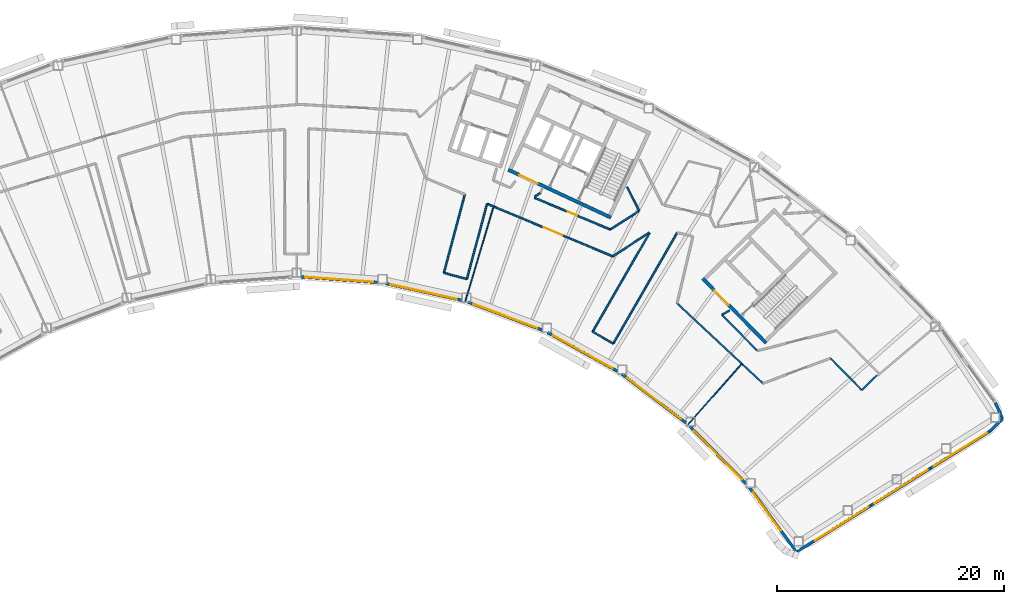
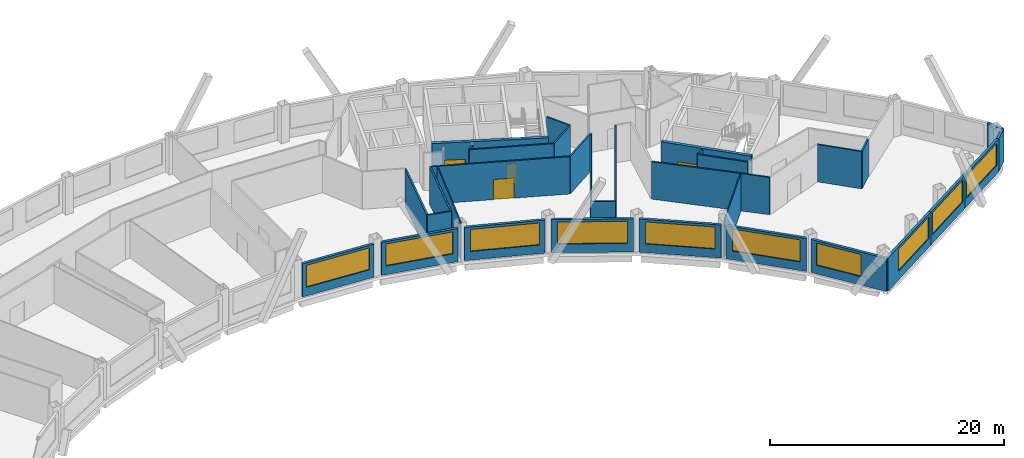
# One storey, part 7 of 13: 33 walls, 10 windows, 4 doors, 14 openings.
"""IFC4 building model written with IfcOpenShell, lengths in metres."""

from ifc_helpers import new_model, si_unit, direction, frame, frame_2d, origin, place, context, subcontext, project, spatial, rectangle, extrude, material, layer, layer_set, type_object, element, fill, save


model = new_model("IFC4")

# Units and contexts
model_context = context("Model", 3, precision=1e-05, world=origin(), true_north=direction((0.0, 1.0)))
body_context = subcontext(model_context, "Body", "Model", "MODEL_VIEW")
ifc_project = project(units=[si_unit("LENGTHUNIT", "METRE"), si_unit("AREAUNIT", "SQUARE_METRE"), si_unit("VOLUMEUNIT", "CUBIC_METRE"), si_unit("PLANEANGLEUNIT", "RADIAN"), si_unit("MASSUNIT", "GRAM", prefix="KILO")], contexts=[model_context])

# Site, building, storey
site_placement = place(None, origin())
site = spatial("IfcSite", under=ifc_project, at=site_placement, CompositionType="ELEMENT")
building_placement = place(site_placement, origin())
building = spatial("IfcBuilding", under=site, at=building_placement, Name="Tuul Gate Civic Tower", CompositionType="ELEMENT")
storey_placement = place(building_placement, frame((0.0, 0.0, 294.199951171875)))
storey = spatial("IfcBuildingStorey", under=building, at=storey_placement, Name="Level 66", CompositionType="ELEMENT", Elevation=294.199951171875)

# Wall, opening, door
ifc_material_1 = material(Name="Concrete C50/60", Category="concrete")
ifc_layer_1 = layer(ifc_material_1, 0.300048828125)
ifc_layer_set_1 = layer_set([ifc_layer_1], Name="Concrete C50/60")
wall_type_1 = type_object("IfcWallType", Name="Core wall C50/60", PredefinedType="SHEAR", material=ifc_layer_set_1)
wall_1_placement = place(storey_placement, frame((48.22509765625, -18.327880859375, 0.0), z_axis=(0.0, 0.0, 1.0), x_axis=(-0.700021979774, 0.714121297703, 0.0)))
wall_1 = element("IfcWall", 1, at=wall_1_placement, inside=storey, type_object=wall_type_1, Name="Core wall", PredefinedType="SHEAR", context=body_context, shape_type="SweptSolid", body=[
    extrude(rectangle(XDim=8.0, YDim=0.300048828125, at=frame_2d((4.0, 0.0))), origin(), (0.0, 0.0, 1.0), 3.900146484375),
])
opening_1_placement = place(wall_1_placement, frame((4.72509765625, 0.0, 0.0)))
opening_1 = element("IfcOpeningElement", 2, at=opening_1_placement, cuts=wall_1, Name="Opening LB-E1-LOBBY-1", PredefinedType="OPENING", context=body_context, shape_type="SweptSolid", body=[
    extrude(rectangle(XDim=1.800048828125, YDim=2.10009765625, at=frame_2d((0.89990234375, 1.050048828125))), frame((0.0, 0.16015625, 0.0), z_axis=(0.0, -1.0, 0.0), x_axis=(1.0, 0.0, 0.0)), (0.0, 0.0, 1.0), 0.320068359375),
])
ifc_material_2 = material(Name="Steel", Category="steel")
door_type_1 = type_object("IfcDoorType", Name="Lobby door", OperationType="DOUBLE_DOOR_SINGLE_SWING", PredefinedType="DOOR", material=ifc_material_2)
door_1_placement = place(opening_1_placement, frame((1.800048828125, 0.0, 0.0), z_axis=(0.0, 0.0, 1.0), x_axis=(-1.0, 0.0, 0.0)))
door_1 = element("IfcDoor", 3, at=door_1_placement, inside=storey, type_object=door_type_1, Name="Lobby door E1-LOBBY", OperationType="DOUBLE_DOOR_SINGLE_SWING", OverallHeight=2.10009765625, OverallWidth=1.800048828125, PredefinedType="DOOR", context=body_context, shape_type="SweptSolid", body=[
    extrude(rectangle(XDim=1.800048828125, YDim=2.10009765625, at=frame_2d((0.900146484375, 1.050048828125))), frame((0.0, 0.02490234375, 0.0), z_axis=(0.0, -1.0, 0.0), x_axis=(1.0, 0.0, 0.0)), (0.0, 0.0, 1.0), 0.050048828125),
])
fill(opening_1, door_1)

wall_2_placement = place(storey_placement, frame((34.5283203125, -7.25, 0.0), z_axis=(0.0, 0.0, 1.0), x_axis=(-0.906310338845, 0.422612789327, 0.0)))
wall_2 = element("IfcWall", 4, at=wall_2_placement, inside=storey, type_object=wall_type_1, Name="Core wall", PredefinedType="SHEAR", context=body_context, shape_type="SweptSolid", body=[
    extrude(rectangle(XDim=9.999755859375, YDim=0.300048828125, at=frame_2d((5.0, 0.0))), origin(), (0.0, 0.0, 1.0), 3.900146484375),
])
opening_2_placement = place(wall_2_placement, frame((7.125, 0.0, 0.0)))
opening_2 = element("IfcOpeningElement", 5, at=opening_2_placement, cuts=wall_2, Name="Opening LB-E3-LOBBY-1", PredefinedType="OPENING", context=body_context, shape_type="SweptSolid", body=[
    extrude(rectangle(XDim=1.800048828125, YDim=2.10009765625, at=frame_2d((0.89990234375, 1.050048828125))), frame((0.0, 0.16015625, 0.0), z_axis=(0.0, -1.0, 0.0), x_axis=(1.0, 0.0, 0.0)), (0.0, 0.0, 1.0), 0.320068359375),
])
door_2_placement = place(opening_2_placement, frame((1.800048828125, 0.0, 0.0), z_axis=(0.0, 0.0, 1.0), x_axis=(-1.0, 0.0, 0.0)))
door_2 = element("IfcDoor", 6, at=door_2_placement, inside=storey, type_object=door_type_1, Name="Lobby door E3-LOBBY", OperationType="DOUBLE_DOOR_SINGLE_SWING", OverallHeight=2.10009765625, OverallWidth=1.800048828125, PredefinedType="DOOR", context=body_context, shape_type="SweptSolid", body=[
    extrude(rectangle(XDim=1.800048828125, YDim=2.10009765625, at=frame_2d((0.900146484375, 1.050048828125))), frame((0.0, 0.02490234375, 0.0), z_axis=(0.0, -1.0, 0.0), x_axis=(1.0, 0.0, 0.0)), (0.0, 0.0, 1.0), 0.050048828125),
])
fill(opening_2, door_2)

# Walls
ifc_material_3 = material(Name="Gypsum board partition")
ifc_layer_2 = layer(ifc_material_3, 0.14990234375)
ifc_layer_set_2 = layer_set([ifc_layer_2], Name="Gypsum board partition")
wall_type_2 = type_object("IfcWallType", Name="Corridor wall P150", PredefinedType="PARTITIONING", material=ifc_layer_set_2)
wall_3_placement = place(storey_placement, frame((56.674072265625, -22.4814453125, 0.0), z_axis=(0.0, 0.0, 1.0), x_axis=(0.714103189213, 0.700040452514, 0.0)))
element("IfcWall", 7, at=wall_3_placement, inside=storey, type_object=wall_type_2, Name="p003", PredefinedType="PARTITIONING", context=body_context, shape_type="SweptSolid", body=[
    extrude(rectangle(XDim=1.892333984375, YDim=0.14990234375, at=frame_2d((0.9462890625, 0.0))), origin(), (0.0, 0.0, 1.0), 3.900146484375),
])
wall_4_placement = place(storey_placement, frame((44.332275390625, -15.8447265625, 0.0), z_axis=(0.0, 0.0, 1.0), x_axis=(0.702796621783, -0.711390826768, 0.0)))
element("IfcWall", 8, at=wall_4_placement, inside=storey, type_object=wall_type_2, Name="p006", PredefinedType="PARTITIONING", context=body_context, shape_type="SweptSolid", body=[
    extrude(rectangle(XDim=4.431640625, YDim=0.14990234375, at=frame_2d((2.2158203125, 0.0))), origin(), (0.0, 0.0, 1.0), 3.900146484375),
])
wall_5_placement = place(storey_placement, frame((44.33740234375, -15.8125, 0.0), z_axis=(0.0, 0.0, 1.0), x_axis=(0.885556049911, 0.464532541881, 0.0)))
element("IfcWall", 9, at=wall_5_placement, inside=storey, type_object=wall_type_2, Name="p007", PredefinedType="PARTITIONING", context=body_context, shape_type="SweptSolid", body=[
    extrude(rectangle(XDim=0.746337890625, YDim=0.14990234375, at=frame_2d((0.373046875, 0.0))), origin(), (0.0, 0.0, 1.0), 3.900146484375),
])

# Wall, opening, door
wall_6_placement = place(storey_placement, frame((27.77685546875, -5.503173828125, 0.0), z_axis=(0.0, 0.0, 1.0), x_axis=(0.922467775917, -0.386074089256, 0.0)))
wall_6 = element("IfcWall", 10, at=wall_6_placement, inside=storey, type_object=wall_type_2, Name="p025", PredefinedType="PARTITIONING", context=body_context, shape_type="SweptSolid", body=[
    extrude(rectangle(XDim=7.246826171875, YDim=0.14990234375, at=frame_2d((3.62353515625, 0.0))), origin(), (0.0, 0.0, 1.0), 3.900146484375),
])
opening_3_placement = place(wall_6_placement, frame((3.173583984375, 0.0, 0.0)))
opening_3 = element("IfcOpeningElement", 11, at=opening_3_placement, cuts=wall_6, Name="Opening Y-D14", PredefinedType="OPENING", context=body_context, shape_type="SweptSolid", body=[
    extrude(rectangle(XDim=0.89990234375, YDim=2.10009765625, at=frame_2d((0.449951171875, 1.050048828125))), frame((0.0, 0.0849609375, 0.0), z_axis=(0.0, -1.0, 0.0), x_axis=(1.0, 0.0, 0.0)), (0.0, 0.0, 1.0), 0.169921875),
])
ifc_material_4 = material(Name="Timber door leaf", Category="wood")
door_type_2 = type_object("IfcDoorType", Name="Door D09", OperationType="NOTDEFINED", PredefinedType="DOOR", material=ifc_material_4)
door_3_placement = place(opening_3_placement, origin())
door_3 = element("IfcDoor", 12, at=door_3_placement, inside=storey, type_object=door_type_2, Name="Door Y-D14", OperationType="SINGLE_SWING_RIGHT", OverallHeight=2.10009765625, OverallWidth=0.89990234375, PredefinedType="DOOR", context=body_context, shape_type="SweptSolid", body=[
    extrude(rectangle(XDim=0.89990234375, YDim=2.10009765625, at=frame_2d((0.449951171875, 1.050048828125))), frame((0.0, 0.02490234375, 0.0), z_axis=(0.0, -1.0, 0.0), x_axis=(1.0, 0.0, 0.0)), (0.0, 0.0, 1.0), 0.050048828125),
])
fill(opening_3, door_3)

# Walls
wall_7_placement = place(storey_placement, frame((21.8134765625, -12.67431640625, 0.0), z_axis=(0.0, 0.0, 1.0), x_axis=(0.258103384911, 0.966117302763, 0.0)))
element("IfcWall", 13, at=wall_7_placement, inside=storey, type_object=wall_type_2, Name="p026", PredefinedType="PARTITIONING", context=body_context, shape_type="SweptSolid", body=[
    extrude(rectangle(XDim=6.860595703125, YDim=0.14990234375, at=frame_2d((3.43017578125, 0.0))), origin(), (0.0, 0.0, 1.0), 3.900146484375),
])
wall_8_placement = place(storey_placement, frame((40.364501953125, -14.81640625, 0.0), z_axis=(0.0, 0.0, 1.0), x_axis=(0.731104600336, -0.682265390715, 0.0)))
element("IfcWall", 14, at=wall_8_placement, inside=storey, type_object=wall_type_2, Name="p049", PredefinedType="PARTITIONING", context=body_context, shape_type="SweptSolid", body=[
    extrude(rectangle(XDim=10.36767578125, YDim=0.14990234375, at=frame_2d((5.183837890625, 0.0))), origin(), (0.0, 0.0, 1.0), 3.900146484375),
])
wall_9_placement = place(storey_placement, frame((53.922119140625, -19.673828125, 0.0), z_axis=(0.0, 0.0, 1.0), x_axis=(0.69999193409, -0.714150748938, 0.0)))
element("IfcWall", 15, at=wall_9_placement, inside=storey, type_object=wall_type_2, Name="p051", PredefinedType="PARTITIONING", context=body_context, shape_type="SweptSolid", body=[
    extrude(rectangle(XDim=3.931396484375, YDim=0.14990234375, at=frame_2d((1.9658203125, 0.0))), origin(), (0.0, 0.0, 1.0), 3.900146484375),
])

# Wall, opening, door
wall_10_placement = place(storey_placement, frame((23.6083984375, -6.03515625, 0.0), z_axis=(0.0, 0.0, 1.0), x_axis=(0.922457832643, -0.3860978464, 0.0)))
wall_10 = element("IfcWall", 16, at=wall_10_placement, inside=storey, type_object=wall_type_2, Name="p054", PredefinedType="PARTITIONING", context=body_context, shape_type="SweptSolid", body=[
    extrude(rectangle(XDim=12.00537109375, YDim=0.14990234375, at=frame_2d((6.002685546875, 0.0))), origin(), (0.0, 0.0, 1.0), 3.900146484375),
])
opening_4_placement = place(wall_10_placement, frame((5.40478515625, 0.0, 0.0)))
opening_4 = element("IfcOpeningElement", 17, at=opening_4_placement, cuts=wall_10, Name="Opening Y-D08", PredefinedType="OPENING", context=body_context, shape_type="SweptSolid", body=[
    extrude(rectangle(XDim=1.800048828125, YDim=2.10009765625, at=frame_2d((0.89990234375, 1.050048828125))), frame((0.0, 0.0849609375, 0.0), z_axis=(0.0, -1.0, 0.0), x_axis=(1.0, 0.0, 0.0)), (0.0, 0.0, 1.0), 0.169921875),
])
ifc_material_5 = material(Name="Timber door leaf, double", Category="wood")
door_type_3 = type_object("IfcDoorType", Name="Door D18", OperationType="DOUBLE_DOOR_SINGLE_SWING", PredefinedType="DOOR", material=ifc_material_5)
door_4_placement = place(opening_4_placement, frame((1.800048828125, 0.0, 0.0), z_axis=(0.0, 0.0, 1.0), x_axis=(-1.0, 0.0, 0.0)))
door_4 = element("IfcDoor", 18, at=door_4_placement, inside=storey, type_object=door_type_3, Name="Door Y-D08", OperationType="DOUBLE_DOOR_SINGLE_SWING", OverallHeight=2.10009765625, OverallWidth=1.800048828125, PredefinedType="DOOR", context=body_context, shape_type="SweptSolid", body=[
    extrude(rectangle(XDim=1.800048828125, YDim=2.10009765625, at=frame_2d((0.900146484375, 1.050048828125))), frame((0.0, 0.02490234375, 0.0), z_axis=(0.0, -1.0, 0.0), x_axis=(1.0, 0.0, 0.0)), (0.0, 0.0, 1.0), 0.050048828125),
])
fill(opening_4, door_4)

# Walls
wall_11_placement = place(storey_placement, frame((34.682861328125, -10.67041015625, 0.0), z_axis=(0.0, 0.0, 1.0), x_axis=(0.83959569175, 0.543211813563, 0.0)))
element("IfcWall", 19, at=wall_11_placement, inside=storey, type_object=wall_type_2, Name="p055", PredefinedType="PARTITIONING", context=body_context, shape_type="SweptSolid", body=[
    extrude(rectangle(XDim=3.84765625, YDim=0.14990234375, at=frame_2d((1.923828125, 0.0))), origin(), (0.0, 0.0, 1.0), 3.900146484375),
])
wall_12_placement = place(storey_placement, frame((32.91064453125, -17.321533203125, 0.0), z_axis=(0.0, 0.0, 1.0), x_axis=(0.500011588718, 0.866018712932, 0.0)))
element("IfcWall", 20, at=wall_12_placement, inside=storey, type_object=wall_type_2, Name="p056", PredefinedType="PARTITIONING", context=body_context, shape_type="SweptSolid", body=[
    extrude(rectangle(XDim=10.062255859375, YDim=0.14990234375, at=frame_2d((5.03125, 0.0))), origin(), (0.0, 0.0, 1.0), 3.900146484375),
])
wall_13_placement = place(storey_placement, frame((32.91064453125, -17.321533203125, 0.0), z_axis=(0.0, 0.0, 1.0), x_axis=(0.866009402589, -0.500027713859, 0.0)))
element("IfcWall", 21, at=wall_13_placement, inside=storey, type_object=wall_type_2, Name="p057", PredefinedType="PARTITIONING", context=body_context, shape_type="SweptSolid", body=[
    extrude(rectangle(XDim=2.10009765625, YDim=0.14990234375, at=frame_2d((1.050048828125, 0.0))), origin(), (0.0, 0.0, 1.0), 3.900146484375),
])
wall_14_placement = place(storey_placement, frame((34.729248046875, -18.37158203125, 0.0), z_axis=(0.0, 0.0, 1.0), x_axis=(0.500001973998, 0.866024264093, 0.0)))
element("IfcWall", 22, at=wall_14_placement, inside=storey, type_object=wall_type_2, Name="p058", PredefinedType="PARTITIONING", context=body_context, shape_type="SweptSolid", body=[
    extrude(rectangle(XDim=11.29052734375, YDim=0.14990234375, at=frame_2d((5.645263671875, 0.0))), origin(), (0.0, 0.0, 1.0), 3.900146484375),
])
wall_15_placement = place(storey_placement, frame((19.778564453125, -12.129150390625, 0.0), z_axis=(0.0, 0.0, 1.0), x_axis=(0.258825441171, 0.965924112445, 0.0)))
element("IfcWall", 23, at=wall_15_placement, inside=storey, type_object=wall_type_2, Name="p064", PredefinedType="PARTITIONING", context=body_context, shape_type="SweptSolid", body=[
    extrude(rectangle(XDim=7.147216796875, YDim=0.14990234375, at=frame_2d((3.57373046875, 0.0))), origin(), (0.0, 0.0, 1.0), 3.900146484375),
])
wall_16_placement = place(storey_placement, frame((19.778564453125, -12.129150390625, 0.0), z_axis=(0.0, 0.0, 1.0), x_axis=(0.965937155273, -0.258776761059, 0.0)))
element("IfcWall", 24, at=wall_16_placement, inside=storey, type_object=wall_type_2, Name="p065", PredefinedType="PARTITIONING", context=body_context, shape_type="SweptSolid", body=[
    extrude(rectangle(XDim=2.10009765625, YDim=0.14990234375, at=frame_2d((1.050048828125, 0.0))), origin(), (0.0, 0.0, 1.0), 3.900146484375),
])
wall_17_placement = place(storey_placement, frame((35.94970703125, -4.557861328125, 0.0), z_axis=(0.0, 0.0, 1.0), x_axis=(0.453925781419, -0.891039496859, 0.0)))
element("IfcWall", 25, at=wall_17_placement, inside=storey, type_object=wall_type_2, Name="p088", PredefinedType="PARTITIONING", context=body_context, shape_type="SweptSolid", body=[
    extrude(rectangle(XDim=2.337890625, YDim=0.14990234375, at=frame_2d((1.1689453125, 0.0))), origin(), (0.0, 0.0, 1.0), 3.900146484375),
])
wall_18_placement = place(storey_placement, frame((34.481201171875, -8.299560546875, 0.0), z_axis=(0.0, 0.0, 1.0), x_axis=(0.839622479522, 0.543170407774, 0.0)))
element("IfcWall", 26, at=wall_18_placement, inside=storey, type_object=wall_type_2, Name="p089", PredefinedType="PARTITIONING", context=body_context, shape_type="SweptSolid", body=[
    extrude(rectangle(XDim=3.00439453125, YDim=0.14990234375, at=frame_2d((1.502197265625, 0.0))), origin(), (0.0, 0.0, 1.0), 3.900146484375),
])
wall_19_placement = place(storey_placement, frame((27.80029296875, -5.403564453125, 0.0), z_axis=(0.0, 0.0, 1.0), x_axis=(0.823307729959, 0.567595262304, 0.0)))
element("IfcWall", 27, at=wall_19_placement, inside=storey, type_object=wall_type_2, Name="p090", PredefinedType="PARTITIONING", context=body_context, shape_type="SweptSolid", body=[
    extrude(rectangle(XDim=0.62158203125, YDim=0.14990234375, at=frame_2d((0.310791015625, 0.0))), origin(), (0.0, 0.0, 1.0), 3.900146484375),
])
ifc_material_6 = material(Name="Precast concrete C40/50", Category="concrete")
ifc_layer_3 = layer(ifc_material_6, 0.25)
ifc_layer_set_3 = layer_set([ifc_layer_3], Name="Precast concrete C40/50")
wall_type_3 = type_object("IfcWallType", Name="External wall", PredefinedType="STANDARD", material=ifc_layer_set_3)
wall_20_placement = place(storey_placement, frame((67.978515625, -26.109619140625, 0.0), z_axis=(0.0, 0.0, 1.0), x_axis=(0.722172557321, 0.691712944402, 0.0)))
element("IfcWall", 28, at=wall_20_placement, inside=storey, type_object=wall_type_3, Name="External wall", PredefinedType="STANDARD", context=body_context, shape_type="SweptSolid", body=[
    extrude(rectangle(XDim=1.571044921875, YDim=0.25, at=frame_2d((0.78564453125, 0.0))), origin(), (0.0, 0.0, 1.0), 3.449951171875),
])
wall_21_placement = place(storey_placement, frame((69.113037109375, -25.02294921875, 0.0), z_axis=(0.0, 0.0, 1.0), x_axis=(-0.412385905797, 0.9110092561, 0.0)))
element("IfcWall", 29, at=wall_21_placement, inside=storey, type_object=wall_type_3, Name="External wall", PredefinedType="STANDARD", context=body_context, shape_type="SweptSolid", body=[
    extrude(rectangle(XDim=1.5712890625, YDim=0.25, at=frame_2d((0.78564453125, 0.0))), origin(), (0.0, 0.0, 1.0), 3.449951171875),
])

# Wall, opening, window
wall_22_placement = place(storey_placement, frame((7.18798828125, -12.478759765625, 0.0), z_axis=(0.0, 0.0, 1.0), x_axis=(0.997384795983, -0.072274260578, 0.0)))
wall_22 = element("IfcWall", 30, at=wall_22_placement, inside=storey, type_object=wall_type_3, Name="External wall", PredefinedType="STANDARD", context=body_context, shape_type="SweptSolid", body=[
    extrude(rectangle(XDim=6.789794921875, YDim=0.25, at=frame_2d((3.39501953125, 0.0))), origin(), (0.0, 0.0, 1.0), 3.449951171875),
])
opening_5_placement = place(wall_22_placement, frame((0.371337890625, 0.0, 0.89990234375)))
opening_5 = element("IfcOpeningElement", 31, at=opening_5_placement, cuts=wall_22, Name="Opening W26", PredefinedType="OPENING", context=body_context, shape_type="SweptSolid", body=[
    extrude(rectangle(XDim=6.0, YDim=2.300048828125, at=frame_2d((3.0, 1.14990234375))), frame((0.0, 0.135009765625, 0.0), z_axis=(0.0, -1.0, 0.0), x_axis=(1.0, 0.0, 0.0)), (0.0, 0.0, 1.0), 0.27001953125),
])
ifc_material_7 = material(Name="Glass", Category="glass")
window_type_1 = type_object("IfcWindowType", Name="Window W26 6000 x 2300", PartitioningType="SINGLE_PANEL", PredefinedType="WINDOW", material=ifc_material_7)
window_1_placement = place(opening_5_placement, origin())
window_1 = element("IfcWindow", 32, at=window_1_placement, inside=storey, type_object=window_type_1, Name="Window", OverallHeight=2.300048828125, OverallWidth=6.0, PartitioningType="SINGLE_PANEL", PredefinedType="WINDOW", context=body_context, shape_type="SweptSolid", body=[
    extrude(rectangle(XDim=6.0, YDim=2.300048828125, at=frame_2d((3.0, 1.14990234375))), frame((0.0, 0.030029296875, 0.0), z_axis=(0.0, -1.0, 0.0), x_axis=(1.0, 0.0, 0.0)), (0.0, 0.0, 1.0), 0.06005859375),
])
fill(opening_5, window_1)

wall_23_placement = place(storey_placement, frame((14.6669921875, -13.072998046875, 0.0), z_axis=(0.0, 0.0, 1.0), x_axis=(0.976561146318, -0.215240162382, 0.0)))
wall_23 = element("IfcWall", 33, at=wall_23_placement, inside=storey, type_object=wall_type_3, Name="External wall", PredefinedType="STANDARD", context=body_context, shape_type="SweptSolid", body=[
    extrude(rectangle(XDim=6.867919921875, YDim=0.25, at=frame_2d((3.43408203125, 0.0))), origin(), (0.0, 0.0, 1.0), 3.449951171875),
])
opening_6_placement = place(wall_23_placement, frame((0.409912109375, 0.0, 0.89990234375)))
opening_6 = element("IfcOpeningElement", 34, at=opening_6_placement, cuts=wall_23, Name="Opening W26", PredefinedType="OPENING", context=body_context, shape_type="SweptSolid", body=[
    extrude(rectangle(XDim=6.0, YDim=2.300048828125, at=frame_2d((3.0, 1.14990234375))), frame((0.0, 0.135009765625, 0.0), z_axis=(0.0, -1.0, 0.0), x_axis=(1.0, 0.0, 0.0)), (0.0, 0.0, 1.0), 0.27001953125),
])
window_2_placement = place(opening_6_placement, origin())
window_2 = element("IfcWindow", 35, at=window_2_placement, inside=storey, type_object=window_type_1, Name="Window", OverallHeight=2.300048828125, OverallWidth=6.0, PartitioningType="SINGLE_PANEL", PredefinedType="WINDOW", context=body_context, shape_type="SweptSolid", body=[
    extrude(rectangle(XDim=6.0, YDim=2.300048828125, at=frame_2d((3.0, 1.14990234375))), frame((0.0, 0.030029296875, 0.0), z_axis=(0.0, -1.0, 0.0), x_axis=(1.0, 0.0, 0.0)), (0.0, 0.0, 1.0), 0.06005859375),
])
fill(opening_6, window_2)

wall_24_placement = place(storey_placement, frame((21.913818359375, -14.70703125, 0.0), z_axis=(0.0, 0.0, 1.0), x_axis=(0.93536593895, -0.353681438943, 0.0)))
wall_24 = element("IfcWall", 36, at=wall_24_placement, inside=storey, type_object=wall_type_3, Name="External wall", PredefinedType="STANDARD", context=body_context, shape_type="SweptSolid", body=[
    extrude(rectangle(XDim=7.0146484375, YDim=0.25, at=frame_2d((3.50732421875, 0.0))), origin(), (0.0, 0.0, 1.0), 3.449951171875),
])
opening_7_placement = place(wall_24_placement, frame((0.523193359375, 0.0, 0.89990234375)))
opening_7 = element("IfcOpeningElement", 37, at=opening_7_placement, cuts=wall_24, Name="Opening W26", PredefinedType="OPENING", context=body_context, shape_type="SweptSolid", body=[
    extrude(rectangle(XDim=6.0, YDim=2.300048828125, at=frame_2d((3.0, 1.14990234375))), frame((0.0, 0.135009765625, 0.0), z_axis=(0.0, -1.0, 0.0), x_axis=(1.0, 0.0, 0.0)), (0.0, 0.0, 1.0), 0.27001953125),
])
window_3_placement = place(opening_7_placement, origin())
window_3 = element("IfcWindow", 38, at=window_3_placement, inside=storey, type_object=window_type_1, Name="Window", OverallHeight=2.300048828125, OverallWidth=6.0, PartitioningType="SINGLE_PANEL", PredefinedType="WINDOW", context=body_context, shape_type="SweptSolid", body=[
    extrude(rectangle(XDim=6.0, YDim=2.300048828125, at=frame_2d((3.0, 1.14990234375))), frame((0.0, 0.030029296875, 0.0), z_axis=(0.0, -1.0, 0.0), x_axis=(1.0, 0.0, 0.0)), (0.0, 0.0, 1.0), 0.06005859375),
])
fill(opening_7, window_3)

wall_25_placement = place(storey_placement, frame((28.926513671875, -17.39208984375, 0.0), z_axis=(0.0, 0.0, 1.0), x_axis=(0.874628863521, -0.484793101328, 0.0)))
wall_25 = element("IfcWall", 39, at=wall_25_placement, inside=storey, type_object=wall_type_3, Name="External wall", PredefinedType="STANDARD", context=body_context, shape_type="SweptSolid", body=[
    extrude(rectangle(XDim=7.075439453125, YDim=0.25, at=frame_2d((3.53759765625, 0.0))), origin(), (0.0, 0.0, 1.0), 3.449951171875),
])
opening_8_placement = place(wall_25_placement, frame((0.556396484375, 0.0, 0.89990234375)))
opening_8 = element("IfcOpeningElement", 40, at=opening_8_placement, cuts=wall_25, Name="Opening W26", PredefinedType="OPENING", context=body_context, shape_type="SweptSolid", body=[
    extrude(rectangle(XDim=6.0, YDim=2.300048828125, at=frame_2d((3.0, 1.14990234375))), frame((0.0, 0.135009765625, 0.0), z_axis=(0.0, -1.0, 0.0), x_axis=(1.0, 0.0, 0.0)), (0.0, 0.0, 1.0), 0.27001953125),
])
window_4_placement = place(opening_8_placement, origin())
window_4 = element("IfcWindow", 41, at=window_4_placement, inside=storey, type_object=window_type_1, Name="Window", OverallHeight=2.300048828125, OverallWidth=6.0, PartitioningType="SINGLE_PANEL", PredefinedType="WINDOW", context=body_context, shape_type="SweptSolid", body=[
    extrude(rectangle(XDim=6.0, YDim=2.300048828125, at=frame_2d((3.0, 1.14990234375))), frame((0.0, 0.030029296875, 0.0), z_axis=(0.0, -1.0, 0.0), x_axis=(1.0, 0.0, 0.0)), (0.0, 0.0, 1.0), 0.06005859375),
])
fill(opening_8, window_4)

wall_26_placement = place(storey_placement, frame((35.503173828125, -21.072021484375, 0.0), z_axis=(0.0, 0.0, 1.0), x_axis=(0.795582375141, -0.605845429433, 0.0)))
wall_26 = element("IfcWall", 42, at=wall_26_placement, inside=storey, type_object=wall_type_3, Name="External wall", PredefinedType="STANDARD", context=body_context, shape_type="SweptSolid", body=[
    extrude(rectangle(XDim=7.10400390625, YDim=0.25, at=frame_2d((3.552001953125, 0.0))), origin(), (0.0, 0.0, 1.0), 3.449951171875),
])
opening_9_placement = place(wall_26_placement, frame((0.562744140625, 0.0, 0.89990234375)))
opening_9 = element("IfcOpeningElement", 43, at=opening_9_placement, cuts=wall_26, Name="Opening W26", PredefinedType="OPENING", context=body_context, shape_type="SweptSolid", body=[
    extrude(rectangle(XDim=6.0, YDim=2.300048828125, at=frame_2d((3.0, 1.14990234375))), frame((0.0, 0.135009765625, 0.0), z_axis=(0.0, -1.0, 0.0), x_axis=(1.0, 0.0, 0.0)), (0.0, 0.0, 1.0), 0.27001953125),
])
window_5_placement = place(opening_9_placement, origin())
window_5 = element("IfcWindow", 44, at=window_5_placement, inside=storey, type_object=window_type_1, Name="Window", OverallHeight=2.300048828125, OverallWidth=6.0, PartitioningType="SINGLE_PANEL", PredefinedType="WINDOW", context=body_context, shape_type="SweptSolid", body=[
    extrude(rectangle(XDim=6.0, YDim=2.300048828125, at=frame_2d((3.0, 1.14990234375))), frame((0.0, 0.030029296875, 0.0), z_axis=(0.0, -1.0, 0.0), x_axis=(1.0, 0.0, 0.0)), (0.0, 0.0, 1.0), 0.06005859375),
])
fill(opening_9, window_5)

wall_27_placement = place(storey_placement, frame((41.49072265625, -25.6708984375, 0.0), z_axis=(0.0, 0.0, 1.0), x_axis=(0.700033997015, -0.714109517528, 0.0)))
wall_27 = element("IfcWall", 45, at=wall_27_placement, inside=storey, type_object=wall_type_3, Name="External wall", PredefinedType="STANDARD", context=body_context, shape_type="SweptSolid", body=[
    extrude(rectangle(XDim=7.111572265625, YDim=0.25, at=frame_2d((3.5556640625, 0.0))), origin(), (0.0, 0.0, 1.0), 3.449951171875),
])
opening_10_placement = place(wall_27_placement, frame((0.555419921875, 0.0, 0.89990234375)))
opening_10 = element("IfcOpeningElement", 46, at=opening_10_placement, cuts=wall_27, Name="Opening W26", PredefinedType="OPENING", context=body_context, shape_type="SweptSolid", body=[
    extrude(rectangle(XDim=6.0, YDim=2.300048828125, at=frame_2d((3.0, 1.14990234375))), frame((0.0, 0.135009765625, 0.0), z_axis=(0.0, -1.0, 0.0), x_axis=(1.0, 0.0, 0.0)), (0.0, 0.0, 1.0), 0.27001953125),
])
window_6_placement = place(opening_10_placement, origin())
window_6 = element("IfcWindow", 47, at=window_6_placement, inside=storey, type_object=window_type_1, Name="Window", OverallHeight=2.300048828125, OverallWidth=6.0, PartitioningType="SINGLE_PANEL", PredefinedType="WINDOW", context=body_context, shape_type="SweptSolid", body=[
    extrude(rectangle(XDim=6.0, YDim=2.300048828125, at=frame_2d((3.0, 1.14990234375))), frame((0.0, 0.030029296875, 0.0), z_axis=(0.0, -1.0, 0.0), x_axis=(1.0, 0.0, 0.0)), (0.0, 0.0, 1.0), 0.06005859375),
])
fill(opening_10, window_6)

wall_28_placement = place(storey_placement, frame((46.7587890625, -31.093017578125, 0.0), z_axis=(0.0, 0.0, 1.0), x_axis=(0.589839929294, -0.807520190343, 0.0)))
wall_28 = element("IfcWall", 48, at=wall_28_placement, inside=storey, type_object=wall_type_3, Name="External wall", PredefinedType="STANDARD", context=body_context, shape_type="SweptSolid", body=[
    extrude(rectangle(XDim=7.034423828125, YDim=0.25, at=frame_2d((3.51708984375, 0.0))), origin(), (0.0, 0.0, 1.0), 3.449951171875),
])
opening_11_placement = place(wall_28_placement, frame((0.52783203125, 0.0, 0.89990234375)))
opening_11 = element("IfcOpeningElement", 49, at=opening_11_placement, cuts=wall_28, Name="Opening W25", PredefinedType="OPENING", context=body_context, shape_type="SweptSolid", body=[
    extrude(rectangle(XDim=4.14990234375, YDim=2.300048828125, at=frame_2d((2.074951171875, 1.14990234375))), frame((0.0, 0.135009765625, 0.0), z_axis=(0.0, -1.0, 0.0), x_axis=(1.0, 0.0, 0.0)), (0.0, 0.0, 1.0), 0.27001953125),
])
ifc_material_8 = material(Name="Glass", Category="glass")
window_type_2 = type_object("IfcWindowType", Name="Window W25 4150 x 2300", PartitioningType="SINGLE_PANEL", PredefinedType="WINDOW", material=ifc_material_8)
window_7_placement = place(opening_11_placement, origin())
window_7 = element("IfcWindow", 50, at=window_7_placement, inside=storey, type_object=window_type_2, Name="Window", OverallHeight=2.300048828125, OverallWidth=4.14990234375, PartitioningType="SINGLE_PANEL", PredefinedType="WINDOW", context=body_context, shape_type="SweptSolid", body=[
    extrude(rectangle(XDim=4.14990234375, YDim=2.300048828125, at=frame_2d((2.074951171875, 1.14990234375))), frame((0.0, 0.030029296875, 0.0), z_axis=(0.0, -1.0, 0.0), x_axis=(1.0, 0.0, 0.0)), (0.0, 0.0, 1.0), 0.06005859375),
])
fill(opening_11, window_7)

wall_29_placement = place(storey_placement, frame((50.907958984375, -36.7734375, 0.0), z_axis=(0.0, 0.0, 1.0), x_axis=(0.848052898081, 0.529911579471, 0.0)))
wall_29 = element("IfcWall", 51, at=wall_29_placement, inside=storey, type_object=wall_type_3, Name="External wall", PredefinedType="STANDARD", context=body_context, shape_type="SweptSolid", body=[
    extrude(rectangle(XDim=7.78759765625, YDim=0.25, at=frame_2d((3.893798828125, 0.0))), origin(), (0.0, 0.0, 1.0), 3.449951171875),
])
opening_12_placement = place(wall_29_placement, frame((1.921142578125, 0.0, 0.89990234375)))
opening_12 = element("IfcOpeningElement", 52, at=opening_12_placement, cuts=wall_29, Name="Opening W24", PredefinedType="OPENING", context=body_context, shape_type="SweptSolid", body=[
    extrude(rectangle(XDim=5.550048828125, YDim=2.300048828125, at=frame_2d((2.77490234375, 1.14990234375))), frame((0.0, 0.135009765625, 0.0), z_axis=(0.0, -1.0, 0.0), x_axis=(1.0, 0.0, 0.0)), (0.0, 0.0, 1.0), 0.27001953125),
])
ifc_material_9 = material(Name="Glass", Category="glass")
window_type_3 = type_object("IfcWindowType", Name="Window W24 5550 x 2300", PartitioningType="SINGLE_PANEL", PredefinedType="WINDOW", material=ifc_material_9)
window_8_placement = place(opening_12_placement, origin())
window_8 = element("IfcWindow", 53, at=window_8_placement, inside=storey, type_object=window_type_3, Name="Window", OverallHeight=2.300048828125, OverallWidth=5.550048828125, PartitioningType="SINGLE_PANEL", PredefinedType="WINDOW", context=body_context, shape_type="SweptSolid", body=[
    extrude(rectangle(XDim=5.550048828125, YDim=2.300048828125, at=frame_2d((2.77490234375, 1.14990234375))), frame((0.0, 0.030029296875, 0.0), z_axis=(0.0, -1.0, 0.0), x_axis=(1.0, 0.0, 0.0)), (0.0, 0.0, 1.0), 0.06005859375),
])
fill(opening_12, window_8)

wall_30_placement = place(storey_placement, frame((57.51220703125, -32.646728515625, 0.0), z_axis=(0.0, 0.0, 1.0), x_axis=(0.848042669488, 0.529927948619, 0.0)))
wall_30 = element("IfcWall", 54, at=wall_30_placement, inside=storey, type_object=wall_type_3, Name="External wall", PredefinedType="STANDARD", context=body_context, shape_type="SweptSolid", body=[
    extrude(rectangle(XDim=6.1826171875, YDim=0.25, at=frame_2d((3.09130859375, 0.0))), origin(), (0.0, 0.0, 1.0), 3.449951171875),
])
opening_13_placement = place(wall_30_placement, frame((0.31640625, 0.0, 0.89990234375)))
opening_13 = element("IfcOpeningElement", 55, at=opening_13_placement, cuts=wall_30, Name="Opening W24", PredefinedType="OPENING", context=body_context, shape_type="SweptSolid", body=[
    extrude(rectangle(XDim=5.550048828125, YDim=2.300048828125, at=frame_2d((2.77490234375, 1.14990234375))), frame((0.0, 0.135009765625, 0.0), z_axis=(0.0, -1.0, 0.0), x_axis=(1.0, 0.0, 0.0)), (0.0, 0.0, 1.0), 0.27001953125),
])
window_9_placement = place(opening_13_placement, origin())
window_9 = element("IfcWindow", 56, at=window_9_placement, inside=storey, type_object=window_type_3, Name="Window", OverallHeight=2.300048828125, OverallWidth=5.550048828125, PartitioningType="SINGLE_PANEL", PredefinedType="WINDOW", context=body_context, shape_type="SweptSolid", body=[
    extrude(rectangle(XDim=5.550048828125, YDim=2.300048828125, at=frame_2d((2.77490234375, 1.14990234375))), frame((0.0, 0.030029296875, 0.0), z_axis=(0.0, -1.0, 0.0), x_axis=(1.0, 0.0, 0.0)), (0.0, 0.0, 1.0), 0.06005859375),
])
fill(opening_13, window_9)

wall_31_placement = place(storey_placement, frame((62.75537109375, -29.370361328125, 0.0), z_axis=(0.0, 0.0, 1.0), x_axis=(0.848053758074, 0.529910203164, 0.0)))
wall_31 = element("IfcWall", 57, at=wall_31_placement, inside=storey, type_object=wall_type_3, Name="External wall", PredefinedType="STANDARD", context=body_context, shape_type="SweptSolid", body=[
    extrude(rectangle(XDim=6.182861328125, YDim=0.25, at=frame_2d((3.09130859375, 0.0))), origin(), (0.0, 0.0, 1.0), 3.449951171875),
])
opening_14_placement = place(wall_31_placement, frame((0.31640625, 0.0, 0.89990234375)))
opening_14 = element("IfcOpeningElement", 58, at=opening_14_placement, cuts=wall_31, Name="Opening W24", PredefinedType="OPENING", context=body_context, shape_type="SweptSolid", body=[
    extrude(rectangle(XDim=5.550048828125, YDim=2.300048828125, at=frame_2d((2.77490234375, 1.14990234375))), frame((0.0, 0.135009765625, 0.0), z_axis=(0.0, -1.0, 0.0), x_axis=(1.0, 0.0, 0.0)), (0.0, 0.0, 1.0), 0.27001953125),
])
window_10_placement = place(opening_14_placement, origin())
window_10 = element("IfcWindow", 59, at=window_10_placement, inside=storey, type_object=window_type_3, Name="Window", OverallHeight=2.300048828125, OverallWidth=5.550048828125, PartitioningType="SINGLE_PANEL", PredefinedType="WINDOW", context=body_context, shape_type="SweptSolid", body=[
    extrude(rectangle(XDim=5.550048828125, YDim=2.300048828125, at=frame_2d((2.77490234375, 1.14990234375))), frame((0.0, 0.030029296875, 0.0), z_axis=(0.0, -1.0, 0.0), x_axis=(1.0, 0.0, 0.0)), (0.0, 0.0, 1.0), 0.06005859375),
])
fill(opening_14, window_10)

# Walls
ifc_material_10 = material(Name="Gypsum board partition")
ifc_layer_4 = layer(ifc_material_10, 0.10009765625)
ifc_layer_set_4 = layer_set([ifc_layer_4], Name="Gypsum board partition")
wall_type_4 = type_object("IfcWallType", Name="Partition P100", PredefinedType="PARTITIONING", material=ifc_layer_set_4)
wall_32_placement = place(storey_placement, frame((41.335693359375, -25.52001953125, 0.0), z_axis=(0.0, 0.0, 1.0), x_axis=(0.661661076471, 0.749803054063, 0.0)))
element("IfcWall", 60, at=wall_32_placement, inside=storey, type_object=wall_type_4, Name="p048", PredefinedType="PARTITIONING", context=body_context, shape_type="SweptSolid", body=[
    extrude(rectangle(XDim=7.16552734375, YDim=0.10009765625, at=frame_2d((3.582763671875, 0.0))), origin(), (0.0, 0.0, 1.0), 3.900146484375),
])
wall_33_placement = place(storey_placement, frame((21.679443359375, -14.623779296875, 0.0), z_axis=(0.0, 0.0, 1.0), x_axis=(0.285209491324, 0.958465203364, 0.0)))
element("IfcWall", 61, at=wall_33_placement, inside=storey, type_object=wall_type_4, Name="p052", PredefinedType="PARTITIONING", context=body_context, shape_type="SweptSolid", body=[
    extrude(rectangle(XDim=8.717529296875, YDim=0.10009765625, at=frame_2d((4.35888671875, 0.0))), origin(), (0.0, 0.0, 1.0), 3.900146484375),
])

save(model, "model.ifc")
